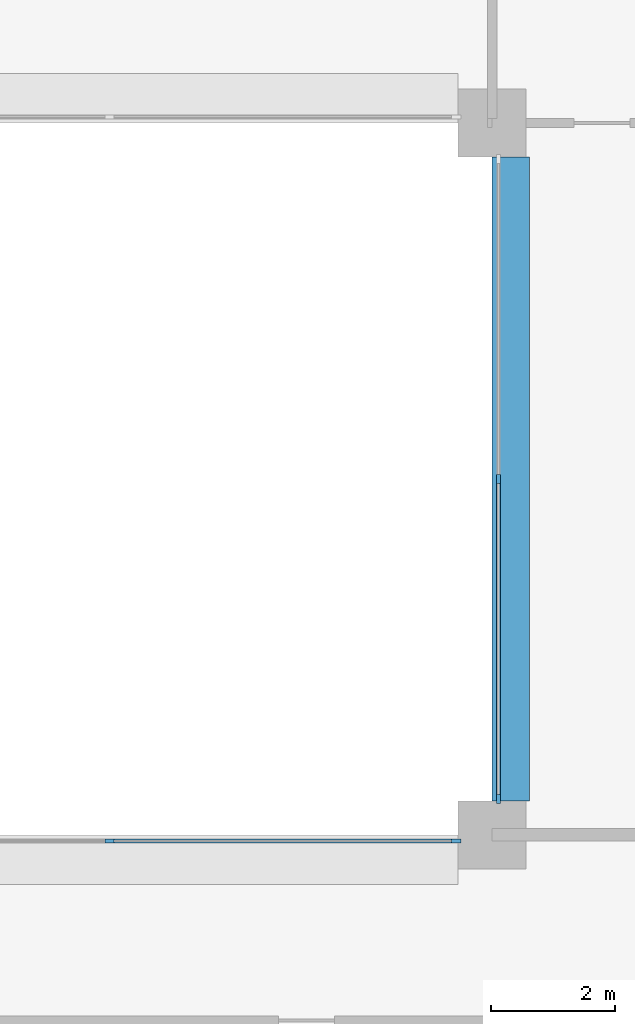
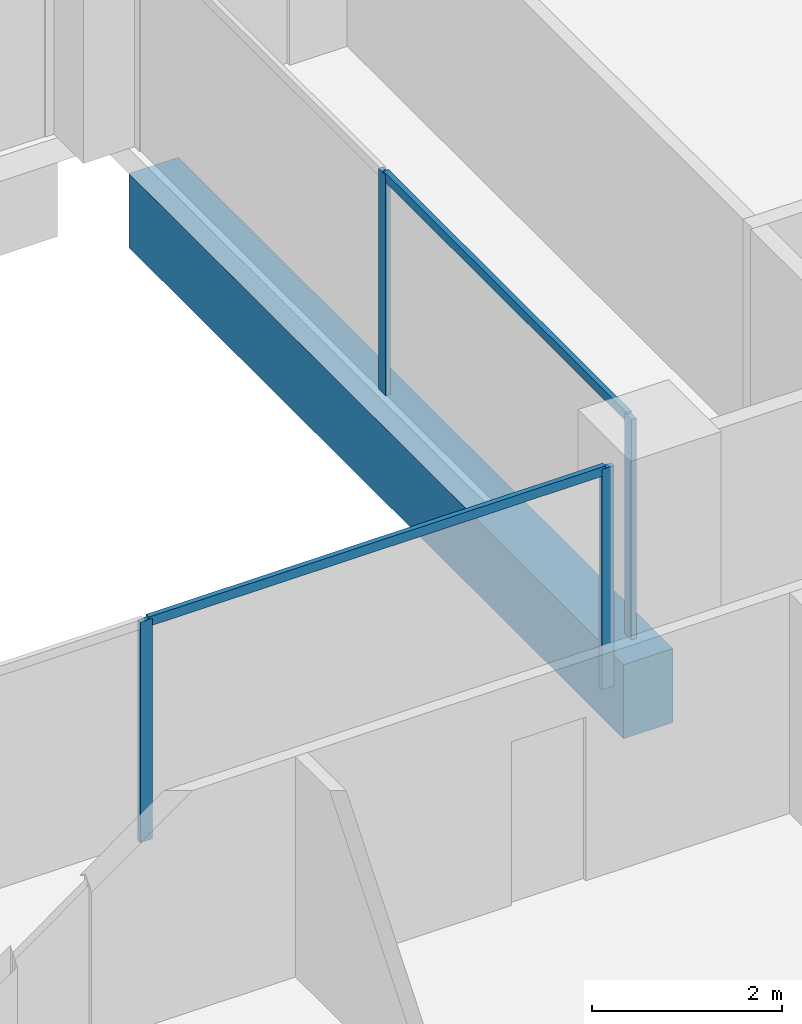
# One storey, part 4 of 15: 6 members, 1 beam, 2 elements without a shape of their own.
"""IFC4 building model written with IfcOpenShell, lengths in metres."""

from ifc_helpers import new_model, si_unit, direction, frame, origin, origin_2d, place, context, subcontext, project, spatial, rectangle, extrude, material, layer, layer_set, material_profile, profile_set, type_object, element, aggregate, save


model = new_model("IFC4")

# Units and contexts
model_context = context("Model", 3, precision=1e-05, world=origin(), true_north=direction((0.0, 1.0)))
body_context = subcontext(model_context, "Body", "Model", "MODEL_VIEW")
ifc_project = project(units=[si_unit("LENGTHUNIT", "METRE"), si_unit("AREAUNIT", "SQUARE_METRE"), si_unit("VOLUMEUNIT", "CUBIC_METRE"), si_unit("PLANEANGLEUNIT", "RADIAN"), si_unit("MASSUNIT", "GRAM", prefix="KILO")], contexts=[model_context])

# Site, building, storey
site_placement = place(None, origin())
site = spatial("IfcSite", under=ifc_project, at=site_placement, CompositionType="ELEMENT")
building_placement = place(site_placement, origin())
building = spatial("IfcBuilding", under=site, at=building_placement, Name="Brigalow Station Residences", CompositionType="ELEMENT")
storey_placement = place(building_placement, frame((0.0, 0.0, 147.60009765625)))
storey = spatial("IfcBuildingStorey", under=building, at=storey_placement, Name="L42", CompositionType="ELEMENT", Elevation=147.60009765625)

# Beam
ifc_material_1 = material(Name="Concrete C65", Category="concrete")
ifc_material_profile_1 = material_profile(ifc_material_1, rectangle(XDim=0.60009765625, YDim=0.949951171875, at=origin_2d()), Name="RC600x950")
ifc_profile_set_1 = profile_set([ifc_material_profile_1], Name="Concrete C65")
beam_type = type_object("IfcBeamType", Name="ATRIUM EDGE GIRDER 600x950 C65", PredefinedType="BEAM", material=ifc_profile_set_1)
beam_placement = place(storey_placement, frame((45.300048828125, 24.550048828125, -0.795166015625), z_axis=(0.0, 1.0, 0.0), x_axis=(-1.0, 0.0, 0.0)))
element("IfcBeam", 1, at=beam_placement, inside=storey, type_object=beam_type, Name="ATRIUM EDGE GIRDER 5 L42", PredefinedType="BEAM", context=body_context, shape_type="SweptSolid", body=[
    extrude(rectangle(XDim=0.60009765625, YDim=0.949951171875, at=origin_2d()), origin(), (0.0, 0.0, 1.0), 10.39990234375),
])

# Curtain wall, members
ifc_material_2 = material(Name="Aluminium", Category="aluminium")
ifc_layer = layer(ifc_material_2, 0.14990234375)
ifc_layer_set = layer_set([ifc_layer], Name="ATRIUM FIRE-RATED GLAZING CURTAIN WALL")
curtain_wall_type = type_object("IfcCurtainWallType", Name="ATRIUM FIRE-RATED GLAZING CURTAIN WALL", PredefinedType="NOTDEFINED", material=ifc_layer_set)
curtain_wall_1_placement = place(storey_placement, origin())
curtain_wall_1 = element("IfcCurtainWall", 2, at=curtain_wall_1_placement, inside=storey, type_object=curtain_wall_type, Name="L42/cw/atrium-S", PredefinedType="NOTDEFINED")
ifc_material_3 = material(Name="Aluminium", Category="aluminium")
ifc_material_profile_2 = material_profile(ifc_material_3, rectangle(XDim=0.06005859375, YDim=0.14990234375, at=origin_2d()), Name="ATRIUM FIRE-RATED GLAZING MULLION 60x150")
ifc_profile_set_2 = profile_set([ifc_material_profile_2], Name="Aluminium")
member_type_1 = type_object("IfcMemberType", Name="ATRIUM FIRE-RATED GLAZING MULLION 60x150", PredefinedType="MULLION", material=ifc_profile_set_2)
member_1_placement = place(storey_placement, frame((38.816650390625, 23.89990234375, 0.0), z_axis=(0.0, 0.0, 1.0), x_axis=(0.0, 1.0, 0.0)))
member_1 = element("IfcMember", 3, at=member_1_placement, type_object=member_type_1, Name="L42/cw/atrium-S/M02", PredefinedType="MULLION", context=body_context, shape_type="SweptSolid", body=[
    extrude(rectangle(XDim=0.06005859375, YDim=0.14990234375, at=origin_2d()), origin(), (0.0, 0.0, 1.0), 2.829833984375),
])
member_2_placement = place(storey_placement, frame((44.419921875, 23.89990234375, 0.0), z_axis=(0.0, 0.0, 1.0), x_axis=(0.0, 1.0, 0.0)))
member_2 = element("IfcMember", 4, at=member_2_placement, type_object=member_type_1, Name="L42/cw/atrium-S/M03", PredefinedType="MULLION", context=body_context, shape_type="SweptSolid", body=[
    extrude(rectangle(XDim=0.06005859375, YDim=0.14990234375, at=origin_2d()), origin(), (0.0, 0.0, 1.0), 2.829833984375),
])

curtain_wall_2_placement = place(storey_placement, origin())
curtain_wall_2 = element("IfcCurtainWall", 5, at=curtain_wall_2_placement, inside=storey, type_object=curtain_wall_type, Name="L42/cw/atrium-E", PredefinedType="NOTDEFINED")
member_3_placement = place(storey_placement, frame((45.10009765625, 24.580078125, 0.0), z_axis=(0.0, 0.0, 1.0), x_axis=(-1.0, 0.0, 0.0)))
member_3 = element("IfcMember", 6, at=member_3_placement, type_object=member_type_1, Name="L42/cw/atrium-E/M00", PredefinedType="MULLION", context=body_context, shape_type="SweptSolid", body=[
    extrude(rectangle(XDim=0.06005859375, YDim=0.14990234375, at=origin_2d()), origin(), (0.0, 0.0, 1.0), 2.829833984375),
])
member_4_placement = place(storey_placement, frame((45.10009765625, 29.75, 0.0), z_axis=(0.0, 0.0, 1.0), x_axis=(-1.0, 0.0, 0.0)))
member_4 = element("IfcMember", 7, at=member_4_placement, type_object=member_type_1, Name="L42/cw/atrium-E/M01", PredefinedType="MULLION", context=body_context, shape_type="SweptSolid", body=[
    extrude(rectangle(XDim=0.06005859375, YDim=0.14990234375, at=origin_2d()), origin(), (0.0, 0.0, 1.0), 2.829833984375),
])

# Member
ifc_material_4 = material(Name="Aluminium", Category="aluminium")
ifc_material_profile_3 = material_profile(ifc_material_4, rectangle(XDim=0.06005859375, YDim=0.1201171875, at=origin_2d()), Name="ATRIUM FIRE-RATED GLAZING TRANSOM 60x120")
ifc_profile_set_3 = profile_set([ifc_material_profile_3], Name="Aluminium")
member_type_2 = type_object("IfcMemberType", Name="ATRIUM FIRE-RATED GLAZING TRANSOM 60x120", PredefinedType="USERDEFINED", material=ifc_profile_set_3)
member_5_placement = place(storey_placement, frame((38.8466796875, 23.89990234375, 2.7998046875), z_axis=(1.0, 0.0, 0.0), x_axis=(0.0, 1.0, 0.0)))
member_5 = element("IfcMember", 8, at=member_5_placement, type_object=member_type_2, Name="L42/cw/atrium-S/T02-00", ObjectType="TRANSOM", PredefinedType="USERDEFINED", context=body_context, shape_type="SweptSolid", body=[
    extrude(rectangle(XDim=0.06005859375, YDim=0.1201171875, at=origin_2d()), origin(), (0.0, 0.0, 1.0), 5.543212890625),
])

aggregate(curtain_wall_1, [member_1, member_2, member_5])

member_6_placement = place(storey_placement, frame((45.10009765625, 24.610107421875, 2.7998046875), z_axis=(0.0, 1.0, 0.0), x_axis=(-1.0, 0.0, 0.0)))
member_6 = element("IfcMember", 9, at=member_6_placement, type_object=member_type_2, Name="L42/cw/atrium-E/T00-00", ObjectType="TRANSOM", PredefinedType="USERDEFINED", context=body_context, shape_type="SweptSolid", body=[
    extrude(rectangle(XDim=0.06005859375, YDim=0.1201171875, at=origin_2d()), origin(), (0.0, 0.0, 1.0), 5.10986328125),
])

aggregate(curtain_wall_2, [member_3, member_4, member_6])

save(model, "model.ifc")
